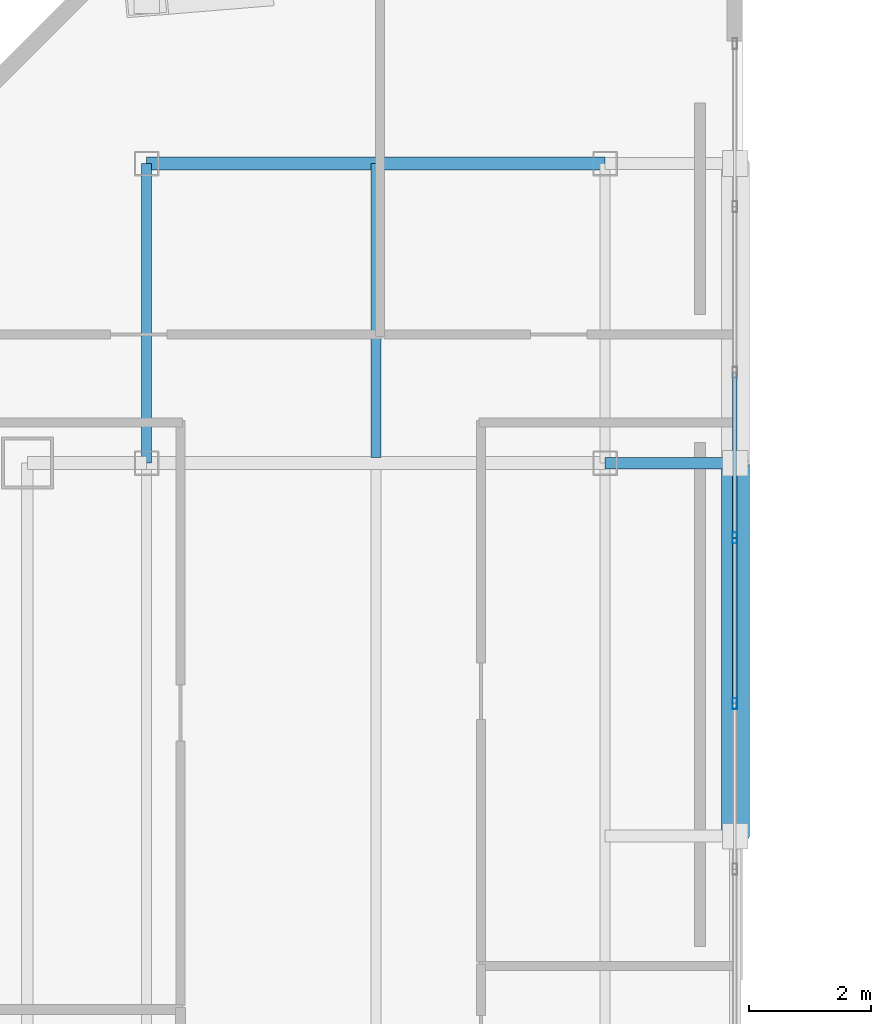
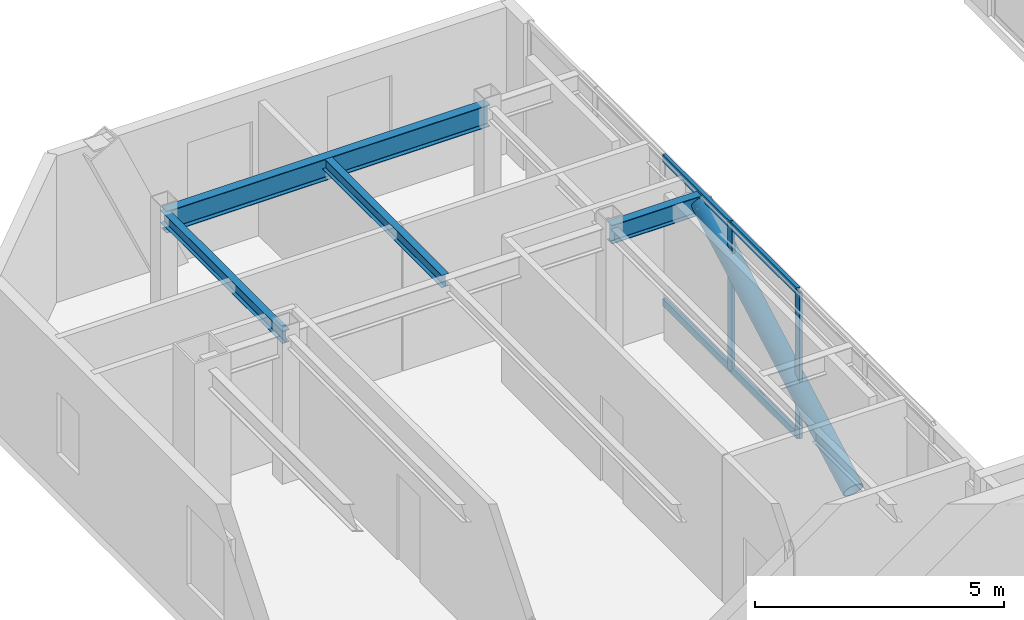
# One storey, part 8 of 19: 7 members, 4 beams, 1 element without a shape of its own.
"""IFC4 building model written with IfcOpenShell, lengths in metres."""

from ifc_helpers import new_model, si_unit, direction, frame, origin, origin_2d, place, context, subcontext, project, spatial, hollow_rectangle, hollow_circle, i_section, extrude, material, material_profile, profile_set, type_object, element, aggregate, save


model = new_model("IFC4")

# Units and contexts
model_context = context("Model", 3, precision=1e-05, world=origin(), true_north=direction((0.0, 1.0)))
body_context = subcontext(model_context, "Body", "Model", "MODEL_VIEW")
ifc_project = project(units=[si_unit("LENGTHUNIT", "METRE"), si_unit("AREAUNIT", "SQUARE_METRE"), si_unit("VOLUMEUNIT", "CUBIC_METRE"), si_unit("PLANEANGLEUNIT", "RADIAN"), si_unit("MASSUNIT", "GRAM", prefix="KILO")], contexts=[model_context])

# Site, building, storey
site_placement = place(None, origin())
site = spatial("IfcSite", under=ifc_project, at=site_placement, CompositionType="ELEMENT")
building_placement = place(site_placement, origin())
building = spatial("IfcBuilding", under=site, at=building_placement, Name="Ventersveld Concourse Tower", CompositionType="ELEMENT")
storey_placement = place(building_placement, frame((0.0, 0.0, 345.199951171875)))
storey = spatial("IfcBuildingStorey", under=building, at=storey_placement, Name="L85", CompositionType="ELEMENT", Elevation=345.199951171875)

# Beams
ifc_material_1 = material(Name="Structural steel S355J2", Category="steel")
ifc_material_profile_1 = material_profile(ifc_material_1, i_section(OverallWidth=0.1650390625, OverallDepth=0.303466796875, WebThickness=0.006103515625, FlangeThickness=0.01025390625, FilletRadius=0.0087890625, at=origin_2d()), Name="UB 305x165x40")
ifc_profile_set_1 = profile_set([ifc_material_profile_1], Name="Structural steel S355J2")
beam_type_1 = type_object("IfcBeamType", Name="BM-UB305", PredefinedType="BEAM", material=ifc_profile_set_1)
beam_1_placement = place(storey_placement, frame((13.75, 23.60009765625, 3.438232421875), z_axis=(0.0, 1.0, 0.0), x_axis=(-1.0, 0.0, 0.0)))
element("IfcBeam", 1, at=beam_1_placement, inside=storey, type_object=beam_type_1, Name="L85 N-S Upper-Zone Floor Beam X=13.75", PredefinedType="BEAM", context=body_context, shape_type="SweptSolid", body=[
    extrude(i_section(OverallWidth=0.1650390625, OverallDepth=0.303466796875, WebThickness=0.006103515625, FlangeThickness=0.01025390625, FilletRadius=0.0087890625, at=origin_2d()), origin(), (0.0, 0.0, 1.0), 4.89990234375),
])
beam_2_placement = place(storey_placement, frame((17.5, 23.695068359375, 3.438232421875), z_axis=(0.0, 1.0, 0.0), x_axis=(-1.0, 0.0, 0.0)))
element("IfcBeam", 2, at=beam_2_placement, inside=storey, type_object=beam_type_1, Name="L85 N-S Upper-Zone Floor Beam X=17.50", PredefinedType="BEAM", context=body_context, shape_type="SweptSolid", body=[
    extrude(i_section(OverallWidth=0.1650390625, OverallDepth=0.303466796875, WebThickness=0.006103515625, FlangeThickness=0.01025390625, FilletRadius=0.0087890625, at=origin_2d()), origin(), (0.0, 0.0, 1.0), 4.804931640625),
])

# Curtain wall, members
ifc_material_2 = material(Name="Anodised aluminium EN AW-6063-T6", Category="aluminium")
curtain_wall_type = type_object("IfcCurtainWallType", Name="CW-WP-5", PredefinedType="NOTDEFINED", material=ifc_material_2)
curtain_wall_placement = place(storey_placement, origin())
curtain_wall = element("IfcCurtainWall", 3, at=curtain_wall_placement, inside=storey, type_object=curtain_wall_type, Name="L85 L85 Wind Portal Aerodynamic Cheek Curtain Wall", PredefinedType="NOTDEFINED")
ifc_material_profile_2 = material_profile(ifc_material_2, hollow_rectangle(XDim=0.074951171875, YDim=0.179931640625, WallThickness=0.00390625, at=origin_2d()), Name="ALU 180x75x4")
ifc_profile_set_2 = profile_set([ifc_material_profile_2], Name="Anodised aluminium EN AW-6063-T6")
member_type_1 = type_object("IfcMemberType", Name="CWM-180x75", PredefinedType="MULLION", material=ifc_profile_set_2)
member_1_placement = place(storey_placement, frame((23.3701171875, 19.66748046875, 0.0), z_axis=(0.0, 0.0, 1.0), x_axis=(1.0, 0.0, 0.0)))
member_1 = element("IfcMember", 4, at=member_1_placement, type_object=member_type_1, Name="CW-L85-WP-W Mullion 03", PredefinedType="MULLION", context=body_context, shape_type="SweptSolid", body=[
    extrude(hollow_rectangle(XDim=0.074951171875, YDim=0.179931640625, WallThickness=0.00390625, at=origin_2d()), origin(), (0.0, 0.0, 1.0), 3.590087890625),
])
member_2_placement = place(storey_placement, frame((23.3701171875, 22.376220703125, 0.0), z_axis=(0.0, 0.0, 1.0), x_axis=(1.0, 0.0, 0.0)))
member_2 = element("IfcMember", 5, at=member_2_placement, type_object=member_type_1, Name="CW-L85-WP-W Mullion 04", PredefinedType="MULLION", context=body_context, shape_type="SweptSolid", body=[
    extrude(hollow_rectangle(XDim=0.074951171875, YDim=0.179931640625, WallThickness=0.00390625, at=origin_2d()), origin(), (0.0, 0.0, 1.0), 3.590087890625),
])
ifc_material_profile_3 = material_profile(ifc_material_2, hollow_rectangle(XDim=0.074951171875, YDim=0.179931640625, WallThickness=0.00390625, at=origin_2d()), Name="ALU 180x75x4")
ifc_profile_set_3 = profile_set([ifc_material_profile_3], Name="Anodised aluminium EN AW-6063-T6")
member_type_2 = type_object("IfcMemberType", Name="CWT-180x75", PredefinedType="USERDEFINED", material=ifc_profile_set_3)
member_3_placement = place(storey_placement, frame((23.3701171875, 19.677490234375, 0.030029296875), z_axis=(0.0, 1.0, 0.0), x_axis=(-1.0, 0.0, 0.0)))
member_3 = element("IfcMember", 6, at=member_3_placement, type_object=member_type_2, Name="CW-L85-WP-W Transom 1-03", ObjectType="TRANSOM", PredefinedType="USERDEFINED", context=body_context, shape_type="SweptSolid", body=[
    extrude(hollow_rectangle(XDim=0.074951171875, YDim=0.179931640625, WallThickness=0.00390625, at=origin_2d()), origin(), (0.0, 0.0, 1.0), 2.688720703125),
])
member_4_placement = place(storey_placement, frame((23.3701171875, 22.38623046875, 0.030029296875), z_axis=(0.0, 1.0, 0.0), x_axis=(-1.0, 0.0, 0.0)))
member_4 = element("IfcMember", 7, at=member_4_placement, type_object=member_type_2, Name="CW-L85-WP-W Transom 1-04", ObjectType="TRANSOM", PredefinedType="USERDEFINED", context=body_context, shape_type="SweptSolid", body=[
    extrude(hollow_rectangle(XDim=0.074951171875, YDim=0.179931640625, WallThickness=0.00390625, at=origin_2d()), origin(), (0.0, 0.0, 1.0), 2.688720703125),
])
member_5_placement = place(storey_placement, frame((23.3701171875, 19.677490234375, 3.56005859375), z_axis=(0.0, 1.0, 0.0), x_axis=(-1.0, 0.0, 0.0)))
member_5 = element("IfcMember", 8, at=member_5_placement, type_object=member_type_2, Name="CW-L85-WP-W Transom 2-03", ObjectType="TRANSOM", PredefinedType="USERDEFINED", context=body_context, shape_type="SweptSolid", body=[
    extrude(hollow_rectangle(XDim=0.074951171875, YDim=0.179931640625, WallThickness=0.00390625, at=origin_2d()), origin(), (0.0, 0.0, 1.0), 2.688720703125),
])
member_6_placement = place(storey_placement, frame((23.3701171875, 22.38623046875, 3.56005859375), z_axis=(0.0, 1.0, 0.0), x_axis=(-1.0, 0.0, 0.0)))
member_6 = element("IfcMember", 9, at=member_6_placement, type_object=member_type_2, Name="CW-L85-WP-W Transom 2-04", ObjectType="TRANSOM", PredefinedType="USERDEFINED", context=body_context, shape_type="SweptSolid", body=[
    extrude(hollow_rectangle(XDim=0.074951171875, YDim=0.179931640625, WallThickness=0.00390625, at=origin_2d()), origin(), (0.0, 0.0, 1.0), 2.688720703125),
])
aggregate(curtain_wall, [member_1, member_2, member_3, member_4, member_5, member_6])

# Beams
ifc_material_profile_4 = material_profile(ifc_material_1, i_section(OverallWidth=0.209228515625, OverallDepth=0.533203125, WebThickness=0.010009765625, FlangeThickness=0.015625, FilletRadius=0.0126953125, at=origin_2d()), Name="UB 533x210x92")
ifc_profile_set_4 = profile_set([ifc_material_profile_4], Name="Structural steel S355J2")
beam_type_2 = type_object("IfcBeamType", Name="GRD-UB533", PredefinedType="T_BEAM", material=ifc_profile_set_4)
beam_3_placement = place(storey_placement, frame((13.75, 28.5, 3.323486328125), z_axis=(1.0, 0.0, 0.0), x_axis=(0.0, 1.0, 0.0)))
element("IfcBeam", 10, at=beam_3_placement, inside=storey, type_object=beam_type_2, Name="L85 North Girder Y=28.50 W", PredefinedType="T_BEAM", context=body_context, shape_type="SweptSolid", body=[
    extrude(i_section(OverallWidth=0.209228515625, OverallDepth=0.533203125, WebThickness=0.010009765625, FlangeThickness=0.015625, FilletRadius=0.0126953125, at=origin_2d()), origin(), (0.0, 0.0, 1.0), 7.5),
])
ifc_material_profile_5 = material_profile(ifc_material_1, i_section(OverallWidth=0.19140625, OverallDepth=0.4599609375, WebThickness=0.010009765625, FlangeThickness=0.01611328125, FilletRadius=0.01025390625, at=origin_2d()), Name="UB 457x191x82")
ifc_profile_set_5 = profile_set([ifc_material_profile_5], Name="Structural steel S355J2")
beam_type_3 = type_object("IfcBeamType", Name="SPD-UB457", PredefinedType="SPANDREL", material=ifc_profile_set_5)
beam_4_placement = place(storey_placement, frame((21.25, 23.60009765625, 3.360107421875), z_axis=(1.0, 0.0, 0.0), x_axis=(0.0, 1.0, 0.0)))
element("IfcBeam", 11, at=beam_4_placement, inside=storey, type_object=beam_type_3, Name="L85 Wind Portal West Tie YD", PredefinedType="SPANDREL", context=body_context, shape_type="SweptSolid", body=[
    extrude(i_section(OverallWidth=0.19140625, OverallDepth=0.4599609375, WebThickness=0.010009765625, FlangeThickness=0.01611328125, FilletRadius=0.01025390625, at=origin_2d()), origin(), (0.0, 0.0, 1.0), 2.1298828125),
])

# Member
ifc_material_3 = material(Name="Structural steel S355ML", Category="steel")
ifc_material_profile_6 = material_profile(ifc_material_3, hollow_circle(Radius=0.228515625, WallThickness=0.02001953125, at=origin_2d()), Name="CHS 457x20")
ifc_profile_set_6 = profile_set([ifc_material_profile_6], Name="Structural steel S355ML")
member_type_3 = type_object("IfcMemberType", Name="STR-WP-457", PredefinedType="STRUT", material=ifc_profile_set_6)
member_7_placement = place(storey_placement, frame((23.3798828125, 17.5, 0.0), z_axis=(0.0, 0.875301630785, 0.483577351771), x_axis=(-1.0, 0.0, 0.0)))
element("IfcMember", 12, at=member_7_placement, inside=storey, type_object=member_type_3, Name="L85 Wind Portal Edge Brace Strut W1", PredefinedType="STRUT", context=body_context, shape_type="SweptSolid", body=[
    extrude(hollow_circle(Radius=0.228515625, WallThickness=0.02001953125, at=origin_2d()), origin(), (0.0, 0.0, 1.0), 6.96923828125),
])

save(model, "model.ifc")
